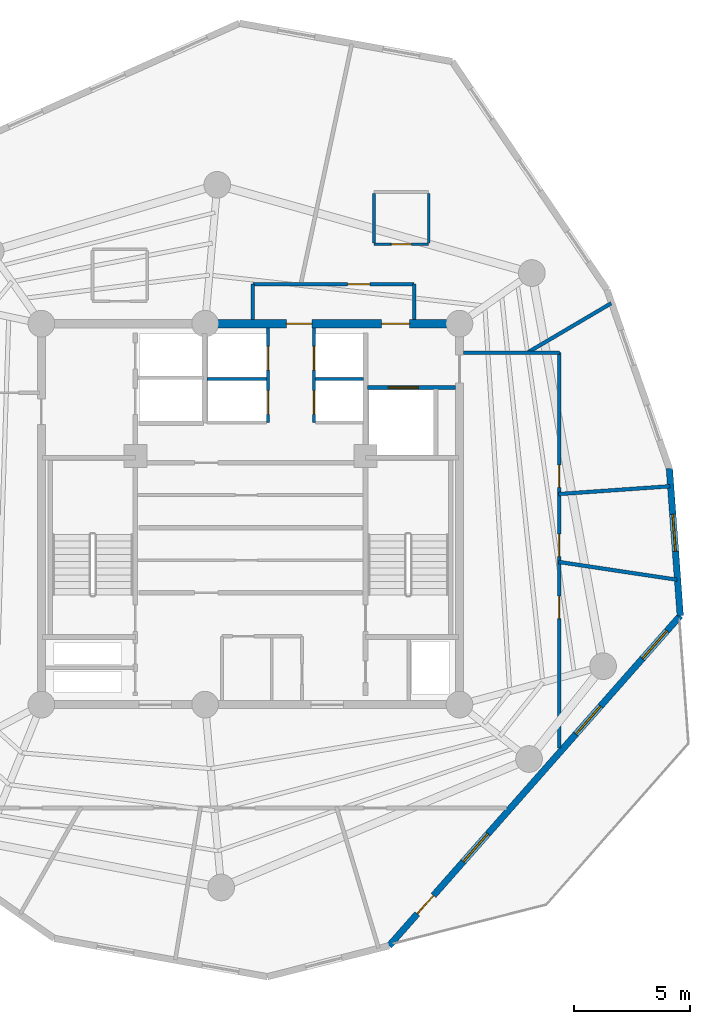
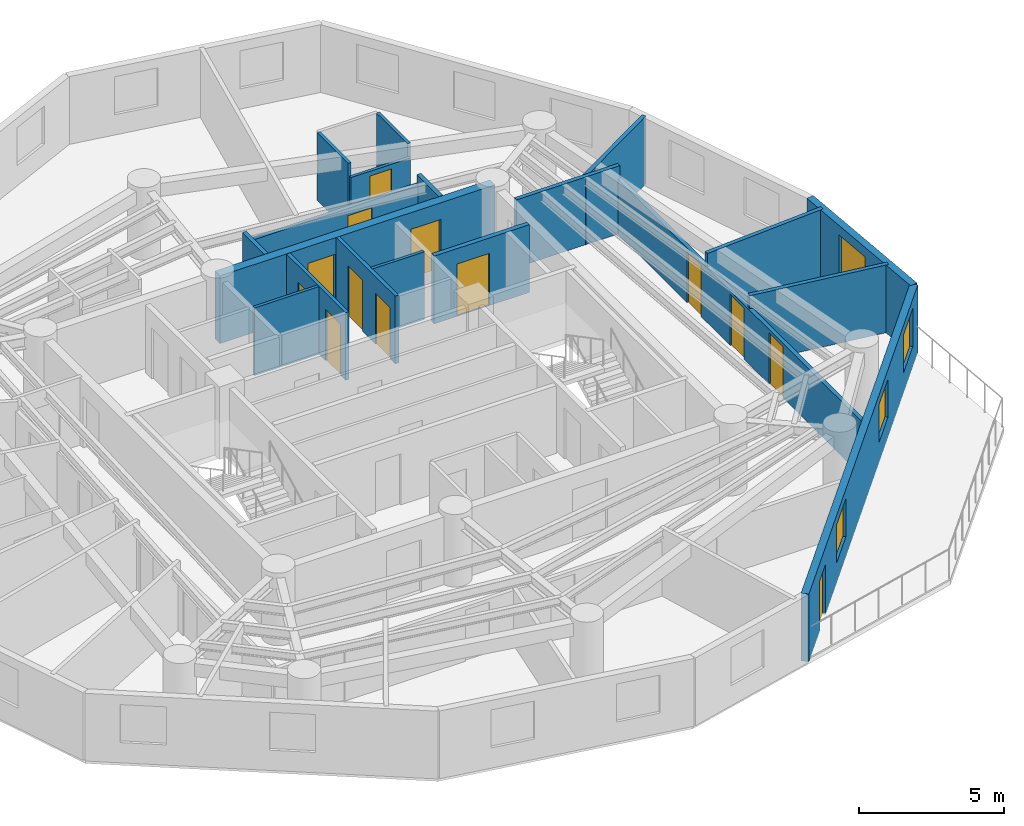
# One storey, part 5 of 7: 19 walls, 13 doors, 4 windows, 17 openings.
"""IFC4 building model written with IfcOpenShell, lengths in metres."""

from ifc_helpers import new_model, si_unit, direction, frame, frame_2d, origin, origin_with_axes, place, context, subcontext, project, spatial, rectangle, extrude, source, transform, mapped, material, layer, layer_set, type_object, element, fill, save


model = new_model("IFC4")

# Units and contexts
model_context = context("Model", 3, precision=1e-05, world=origin(), true_north=direction((0.0, 1.0)))
body_context = subcontext(model_context, "Body", "Model", "MODEL_VIEW")
ifc_project = project(units=[si_unit("LENGTHUNIT", "METRE"), si_unit("AREAUNIT", "SQUARE_METRE"), si_unit("VOLUMEUNIT", "CUBIC_METRE"), si_unit("PLANEANGLEUNIT", "RADIAN"), si_unit("MASSUNIT", "GRAM", prefix="KILO")], contexts=[model_context])

# Site, building, storey
site_placement = place(None, origin())
site = spatial("IfcSite", under=ifc_project, at=site_placement, CompositionType="ELEMENT")
building_placement = place(site_placement, origin())
building = spatial("IfcBuilding", under=site, at=building_placement, Name="Karkom Vertical University and Central Library", CompositionType="ELEMENT")
storey_placement = place(building_placement, frame((0.0, 0.0, 235.199951171875)))
storey = spatial("IfcBuildingStorey", under=building, at=storey_placement, Name="L69", CompositionType="ELEMENT", Elevation=235.199951171875)

# Wall, openings, door, windows
ifc_material_1 = material(Name="Brick-faced precast concrete C45/55", Category="masonry")
ifc_layer_1 = layer(ifc_material_1, 0.280029296875)
ifc_layer_set_1 = layer_set([ifc_layer_1], Name="Brick-faced precast concrete C45/55")
wall_type_1 = type_object("IfcWallType", Name="ENV-WL-BRK-280", PredefinedType="SOLIDWALL", material=ifc_layer_set_1)
wall_1_placement = place(storey_placement, frame((34.466796875, 7.915771484375, 0.0), z_axis=(0.0, 0.0, 1.0), x_axis=(0.661518096325, 0.749929202148, 0.0)))
wall_1 = element("IfcWall", 1, at=wall_1_placement, inside=storey, type_object=wall_type_1, Name="Level 69 Brick-Faced Precast Facade Wall 04", PredefinedType="SOLIDWALL", context=body_context, shape_type="SweptSolid", body=[
    extrude(rectangle(XDim=18.95166015625, YDim=0.280029296875, at=frame_2d((9.475830078125, 0.0))), origin(), (0.0, 0.0, 1.0), 2.85009765625),
])
opening_1_placement = place(wall_1_placement, frame((4.8310546875, 0.0, 0.85009765625)))
opening_1 = element("IfcOpeningElement", 2, at=opening_1_placement, cuts=wall_1, Name="Opening WN-10", PredefinedType="OPENING", context=body_context, shape_type="SweptSolid", body=[
    extrude(rectangle(XDim=1.60009765625, YDim=1.60009765625, at=frame_2d((0.800048828125, 0.800048828125))), frame((0.0, 0.14990234375, 0.0), z_axis=(0.0, -1.0, 0.0), x_axis=(1.0, 0.0, 0.0)), (0.0, 0.0, 1.0), 0.300048828125),
])
opening_2_placement = place(wall_1_placement, frame((12.161376953125, 0.0, 0.85009765625)))
opening_2 = element("IfcOpeningElement", 3, at=opening_2_placement, cuts=wall_1, Name="Opening WN-10", PredefinedType="OPENING", context=body_context, shape_type="SweptSolid", body=[
    extrude(rectangle(XDim=1.60009765625, YDim=1.60009765625, at=frame_2d((0.800048828125, 0.800048828125))), frame((0.0, 0.14990234375, 0.0), z_axis=(0.0, -1.0, 0.0), x_axis=(1.0, 0.0, 0.0)), (0.0, 0.0, 1.0), 0.300048828125),
])
opening_3_placement = place(wall_1_placement, frame((16.488525390625, 0.0, 0.85009765625)))
opening_3 = element("IfcOpeningElement", 4, at=opening_3_placement, cuts=wall_1, Name="Opening WN-10", PredefinedType="OPENING", context=body_context, shape_type="SweptSolid", body=[
    extrude(rectangle(XDim=1.60009765625, YDim=1.60009765625, at=frame_2d((0.800048828125, 0.800048828125))), frame((0.0, 0.14990234375, 0.0), z_axis=(0.0, -1.0, 0.0), x_axis=(1.0, 0.0, 0.0)), (0.0, 0.0, 1.0), 0.300048828125),
])
opening_4_placement = place(wall_1_placement, frame((1.843994140625, 0.0, 0.0)))
opening_4 = element("IfcOpeningElement", 5, at=opening_4_placement, cuts=wall_1, Name="Opening TD-1", PredefinedType="OPENING", context=body_context, shape_type="SweptSolid", body=[
    extrude(rectangle(XDim=1.050048828125, YDim=2.1201171875, at=frame_2d((0.52490234375, 1.06005859375))), frame((0.0, 0.14990234375, 0.0), z_axis=(0.0, -1.0, 0.0), x_axis=(1.0, 0.0, 0.0)), (0.0, 0.0, 1.0), 0.300048828125),
])
ifc_material_2 = material(Name="Thermally broken glazed aluminium terrace door", Category="aluminium")
door_type_1 = type_object("IfcDoorType", Name="ENV-DR-TERR", OperationType="NOTDEFINED", PredefinedType="DOOR", material=ifc_material_2)
shared_shape_1 = source(origin_with_axes(), body_context, "Body", "SweptSolid", [
    extrude(rectangle(XDim=1.050048828125, YDim=2.1201171875, at=frame_2d((0.52490234375, 1.06005859375))), frame((0.0, 0.02490234375, 0.0), z_axis=(0.0, -1.0, 0.0), x_axis=(1.0, 0.0, 0.0)), (0.0, 0.0, 1.0), 0.050048828125),
])
door_1_placement = place(opening_4_placement, origin())
door_1 = element("IfcDoor", 6, at=door_1_placement, inside=storey, type_object=door_type_1, Name="Level 69 Outdoor Terrace Access Door", OperationType="SINGLE_SWING_LEFT", OverallHeight=2.1201171875, OverallWidth=1.050048828125, PredefinedType="DOOR", context=body_context, shape_type="MappedRepresentation", body=[
    mapped(shared_shape_1, transform((0.0, 0.0, 0.0), scale=1.0)),
])
fill(opening_4, door_1)
ifc_material_3 = material(Name="Aluminium thermal-break frame with solar-control IGU", Category="aluminium")
window_type = type_object("IfcWindowType", Name="ENV-WIN-WN-10", PartitioningType="SINGLE_PANEL", PredefinedType="WINDOW", material=ifc_material_3)
shared_shape_2 = source(origin_with_axes(), body_context, "Body", "SweptSolid", [
    extrude(rectangle(XDim=1.60009765625, YDim=1.60009765625, at=frame_2d((0.800048828125, 0.800048828125))), frame((0.0, 0.030029296875, 0.0), z_axis=(0.0, -1.0, 0.0), x_axis=(1.0, 0.0, 0.0)), (0.0, 0.0, 1.0), 0.06005859375),
])
window_1_placement = place(opening_1_placement, origin())
window_1 = element("IfcWindow", 7, at=window_1_placement, inside=storey, type_object=window_type, Name="Level 69 Punched Window 4.2", OverallHeight=1.60009765625, OverallWidth=1.60009765625, PartitioningType="SINGLE_PANEL", PredefinedType="WINDOW", context=body_context, shape_type="MappedRepresentation", body=[
    mapped(shared_shape_2, transform((0.0, 0.0, 0.0), scale=1.0)),
])
fill(opening_1, window_1)
window_2_placement = place(opening_2_placement, origin())
window_2 = element("IfcWindow", 8, at=window_2_placement, inside=storey, type_object=window_type, Name="Level 69 Punched Window 4.3", OverallHeight=1.60009765625, OverallWidth=1.60009765625, PartitioningType="SINGLE_PANEL", PredefinedType="WINDOW", context=body_context, shape_type="MappedRepresentation", body=[
    mapped(shared_shape_2, transform((0.0, 0.0, 0.0), scale=1.0)),
])
fill(opening_2, window_2)
window_3_placement = place(opening_3_placement, origin())
window_3 = element("IfcWindow", 9, at=window_3_placement, inside=storey, type_object=window_type, Name="Level 69 Punched Window 4.4", OverallHeight=1.60009765625, OverallWidth=1.60009765625, PartitioningType="SINGLE_PANEL", PredefinedType="WINDOW", context=body_context, shape_type="MappedRepresentation", body=[
    mapped(shared_shape_2, transform((0.0, 0.0, 0.0), scale=1.0)),
])
fill(opening_3, window_3)

# Wall, opening, window
wall_2_placement = place(storey_placement, frame((47.003662109375, 22.128173828125, 0.0), z_axis=(0.0, 0.0, 1.0), x_axis=(-0.073775439927, 0.99727487909, 0.0)))
wall_2 = element("IfcWall", 10, at=wall_2_placement, inside=storey, type_object=wall_type_1, Name="Level 69 Brick-Faced Precast Facade Wall 05", PredefinedType="SOLIDWALL", context=body_context, shape_type="SweptSolid", body=[
    extrude(rectangle(XDim=6.353759765625, YDim=0.280029296875, at=frame_2d((3.1767578125, 0.0))), origin(), (0.0, 0.0, 1.0), 2.85009765625),
])
opening_5_placement = place(wall_2_placement, frame((2.77685546875, 0.0, 0.85009765625)))
opening_5 = element("IfcOpeningElement", 11, at=opening_5_placement, cuts=wall_2, Name="Opening WN-10", PredefinedType="OPENING", context=body_context, shape_type="SweptSolid", body=[
    extrude(rectangle(XDim=1.60009765625, YDim=1.60009765625, at=frame_2d((0.800048828125, 0.800048828125))), frame((0.0, 0.14990234375, 0.0), z_axis=(0.0, -1.0, 0.0), x_axis=(1.0, 0.0, 0.0)), (0.0, 0.0, 1.0), 0.300048828125),
])
window_4_placement = place(opening_5_placement, origin())
window_4 = element("IfcWindow", 12, at=window_4_placement, inside=storey, type_object=window_type, Name="Level 69 Punched Window 5.1", OverallHeight=1.60009765625, OverallWidth=1.60009765625, PartitioningType="SINGLE_PANEL", PredefinedType="WINDOW", context=body_context, shape_type="MappedRepresentation", body=[
    mapped(shared_shape_2, transform((0.0, 0.0, 0.0), scale=1.0)),
])
fill(opening_5, window_4)

# Wall, openings, doors
ifc_material_4 = material(Name="Insulated metal-stud drywall 160mm", Category="gypsum")
ifc_layer_2 = layer(ifc_material_4, 0.159912109375)
ifc_layer_set_2 = layer_set([ifc_layer_2], Name="Insulated metal-stud drywall 160mm")
wall_type_2 = type_object("IfcWallType", Name="INT-WL-COR-160", PredefinedType="PARTITIONING", material=ifc_layer_set_2)
wall_3_placement = place(storey_placement, frame((41.800048828125, 33.449951171875, 0.0), z_axis=(0.0, 0.0, 1.0), x_axis=(0.0, -1.0, 0.0)))
wall_3 = element("IfcWall", 13, at=wall_3_placement, inside=storey, type_object=wall_type_2, Name="Level 69 Interior Partition Wall L69-CORW-CW-005", PredefinedType="PARTITIONING", context=body_context, shape_type="SweptSolid", body=[
    extrude(rectangle(XDim=17.024169921875, YDim=0.159912109375, at=frame_2d((8.51220703125, 0.0))), origin(), (0.0, 0.0, 1.0), 2.300048828125),
])
opening_6_placement = place(wall_3_placement, frame((10.48291015625, 0.0, 0.0)))
opening_6 = element("IfcOpeningElement", 14, at=opening_6_placement, cuts=wall_3, Name="Opening FD-RM2", PredefinedType="OPENING", context=body_context, shape_type="SweptSolid", body=[
    extrude(rectangle(XDim=0.9599609375, YDim=2.14990234375, at=frame_2d((0.47998046875, 1.074951171875))), frame((0.0, 0.08984375, 0.0), z_axis=(0.0, -1.0, 0.0), x_axis=(1.0, 0.0, 0.0)), (0.0, 0.0, 1.0), 0.179931640625),
])
opening_7_placement = place(wall_3_placement, frame((7.814208984375, 0.0, 0.0)))
opening_7 = element("IfcOpeningElement", 15, at=opening_7_placement, cuts=wall_3, Name="Opening FD-RM2", PredefinedType="OPENING", context=body_context, shape_type="SweptSolid", body=[
    extrude(rectangle(XDim=0.9599609375, YDim=2.14990234375, at=frame_2d((0.47998046875, 1.074951171875))), frame((0.0, 0.08984375, 0.0), z_axis=(0.0, -1.0, 0.0), x_axis=(1.0, 0.0, 0.0)), (0.0, 0.0, 1.0), 0.179931640625),
])
opening_8_placement = place(wall_3_placement, frame((4.83544921875, 0.0, 0.0)))
opening_8 = element("IfcOpeningElement", 16, at=opening_8_placement, cuts=wall_3, Name="Opening FD-RM2", PredefinedType="OPENING", context=body_context, shape_type="SweptSolid", body=[
    extrude(rectangle(XDim=0.9599609375, YDim=2.14990234375, at=frame_2d((0.47998046875, 1.074951171875))), frame((0.0, 0.08984375, 0.0), z_axis=(0.0, -1.0, 0.0), x_axis=(1.0, 0.0, 0.0)), (0.0, 0.0, 1.0), 0.179931640625),
])
ifc_material_5 = material(Name="Fire-rated oak veneer door", Category="wood")
door_type_2 = type_object("IfcDoorType", Name="INT-DR-FRM2", OperationType="NOTDEFINED", PredefinedType="DOOR", material=ifc_material_5)
shared_shape_3 = source(origin_with_axes(), body_context, "Body", "SweptSolid", [
    extrude(rectangle(XDim=0.9599609375, YDim=2.14990234375, at=frame_2d((0.47998046875, 1.074951171875))), frame((0.0, 0.02490234375, 0.0), z_axis=(0.0, -1.0, 0.0), x_axis=(1.0, 0.0, 0.0)), (0.0, 0.0, 1.0), 0.050048828125),
])
door_2_placement = place(opening_6_placement, origin())
door_2 = element("IfcDoor", 17, at=door_2_placement, inside=storey, type_object=door_type_2, Name="Level 69 Room Entry Door 307", OperationType="SINGLE_SWING_LEFT", OverallHeight=2.14990234375, OverallWidth=0.9599609375, PredefinedType="DOOR", context=body_context, shape_type="MappedRepresentation", body=[
    mapped(shared_shape_3, transform((0.0, 0.0, 0.0), scale=1.0)),
])
fill(opening_6, door_2)
door_3_placement = place(opening_7_placement, origin())
door_3 = element("IfcDoor", 18, at=door_3_placement, inside=storey, type_object=door_type_2, Name="Level 69 Room Entry Door 308", OperationType="SINGLE_SWING_RIGHT", OverallHeight=2.14990234375, OverallWidth=0.9599609375, PredefinedType="DOOR", context=body_context, shape_type="MappedRepresentation", body=[
    mapped(shared_shape_3, transform((0.0, 0.0, 0.0), scale=1.0)),
])
fill(opening_7, door_3)
door_4_placement = place(opening_8_placement, origin())
door_4 = element("IfcDoor", 19, at=door_4_placement, inside=storey, type_object=door_type_2, Name="Level 69 Room Entry Door 309", OperationType="SINGLE_SWING_LEFT", OverallHeight=2.14990234375, OverallWidth=0.9599609375, PredefinedType="DOOR", context=body_context, shape_type="MappedRepresentation", body=[
    mapped(shared_shape_3, transform((0.0, 0.0, 0.0), scale=1.0)),
])
fill(opening_8, door_4)

# Wall, opening, door
wall_4_placement = place(storey_placement, frame((28.60009765625, 36.39990234375, 0.0), z_axis=(0.0, 0.0, 1.0), x_axis=(1.0, 0.0, 0.0)))
wall_4 = element("IfcWall", 20, at=wall_4_placement, inside=storey, type_object=wall_type_2, Name="Level 69 Interior Partition Wall L69-CORW-CW-007", PredefinedType="PARTITIONING", context=body_context, shape_type="SweptSolid", body=[
    extrude(rectangle(XDim=6.949951171875, YDim=0.159912109375, at=frame_2d((3.47509765625, 0.0))), origin(), (0.0, 0.0, 1.0), 2.449951171875),
])
opening_9_placement = place(wall_4_placement, frame((4.081298828125, 0.0, 0.0)))
opening_9 = element("IfcOpeningElement", 21, at=opening_9_placement, cuts=wall_4, Name="Opening FD-RM2", PredefinedType="OPENING", context=body_context, shape_type="SweptSolid", body=[
    extrude(rectangle(XDim=0.9599609375, YDim=2.14990234375, at=frame_2d((0.47998046875, 1.074951171875))), frame((0.0, 0.08984375, 0.0), z_axis=(0.0, -1.0, 0.0), x_axis=(1.0, 0.0, 0.0)), (0.0, 0.0, 1.0), 0.179931640625),
])
door_5_placement = place(opening_9_placement, origin())
door_5 = element("IfcDoor", 22, at=door_5_placement, inside=storey, type_object=door_type_2, Name="Level 69 Room Entry Door 420", OperationType="SINGLE_SWING_LEFT", OverallHeight=2.14990234375, OverallWidth=0.9599609375, PredefinedType="DOOR", context=body_context, shape_type="MappedRepresentation", body=[
    mapped(shared_shape_3, transform((0.0, 0.0, 0.0), scale=1.0)),
])
fill(opening_9, door_5)

# Walls
wall_5_placement = place(storey_placement, frame((41.770263671875, 24.443603515625, 0.0), z_axis=(0.0, 0.0, 1.0), x_axis=(0.988877502594, -0.148732258984, 0.0)))
element("IfcWall", 23, at=wall_5_placement, inside=storey, type_object=wall_type_2, Name="Level 69 Interior Partition Wall L69-PW-008", PredefinedType="PARTITIONING", context=body_context, shape_type="SweptSolid", body=[
    extrude(rectangle(XDim=5.1494140625, YDim=0.159912109375, at=frame_2d((2.57470703125, 0.0))), origin(), (0.0, 0.0, 1.0), 2.85009765625),
])
wall_6_placement = place(storey_placement, frame((41.77001953125, 27.366455078125, 0.0), z_axis=(0.0, 0.0, 1.0), x_axis=(0.997573870871, 0.069615890103, 0.0)))
element("IfcWall", 24, at=wall_6_placement, inside=storey, type_object=wall_type_2, Name="Level 69 Interior Partition Wall L69-PW-009", PredefinedType="PARTITIONING", context=body_context, shape_type="SweptSolid", body=[
    extrude(rectangle(XDim=4.80810546875, YDim=0.159912109375, at=frame_2d((2.404052734375, 0.0))), origin(), (0.0, 0.0, 1.0), 2.85009765625),
])
wall_7_placement = place(storey_placement, frame((40.39111328125, 33.434814453125, 0.0), z_axis=(0.0, 0.0, 1.0), x_axis=(0.861632369313, 0.507532915338, 0.0)))
element("IfcWall", 25, at=wall_7_placement, inside=storey, type_object=wall_type_2, Name="Level 69 Interior Partition Wall L69-PW-010", PredefinedType="PARTITIONING", context=body_context, shape_type="SweptSolid", body=[
    extrude(rectangle(XDim=4.222900390625, YDim=0.159912109375, at=frame_2d((2.111328125, 0.0))), origin(), (0.0, 0.0, 1.0), 2.85009765625),
])
wall_8_placement = place(storey_placement, frame((37.681884765625, 33.449951171875, 0.0), z_axis=(0.0, 0.0, 1.0), x_axis=(1.0, 0.0, 0.0)))
element("IfcWall", 26, at=wall_8_placement, inside=storey, type_object=wall_type_2, Name="Level 69 Interior Partition Wall L69-CORW-CW-004", PredefinedType="PARTITIONING", context=body_context, shape_type="SweptSolid", body=[
    extrude(rectangle(XDim=4.1181640625, YDim=0.159912109375, at=frame_2d((2.05908203125, 0.0))), origin(), (0.0, 0.0, 1.0), 2.85009765625),
])
for number, where, z_axis, x_axis, name in (
    (27, (28.60009765625, 34.882080078125, 0.0), (0.0, 0.0, 1.0), (0.0, 1.0, 0.0), "Level 69 Interior Partition Wall L69-CORW-CW-006"),
    (28, (35.550048828125, 36.39990234375, 0.0), (0.0, 0.0, 1.0), (0.0, -1.0, 0.0), "Level 69 Interior Partition Wall L69-CORW-CW-008"),
):
    element("IfcWall", number, at=place(storey_placement, frame(where, z_axis=z_axis, x_axis=x_axis)), inside=storey, type_object=wall_type_2, Name=name, PredefinedType="PARTITIONING", context=body_context, shape_type="SweptSolid", body=[
        extrude(rectangle(XDim=1.517822265625, YDim=0.159912109375, at=frame_2d((0.7587890625, 0.0))), origin(), (0.0, 0.0, 1.0), 2.85009765625),
    ])

# Wall, opening, door
ifc_material_6 = material(Name="Moisture-resistant drywall 120mm", Category="gypsum")
ifc_layer_3 = layer(ifc_material_6, 0.1201171875)
ifc_layer_set_3 = layer_set([ifc_layer_3], Name="Moisture-resistant drywall 120mm")
wall_type_3 = type_object("IfcWallType", Name="INT-WL-INT-120F", PredefinedType="PARTITIONING", material=ifc_layer_set_3)
wall_9_placement = place(storey_placement, frame((33.81396484375, 38.123046875, 0.0), z_axis=(0.0, 0.0, 1.0), x_axis=(1.0, 0.0, 0.0)))
wall_9 = element("IfcWall", 29, at=wall_9_placement, inside=storey, type_object=wall_type_3, Name="Level 69 Interior Partition Wall L69-ENS-50-S", PredefinedType="PARTITIONING", context=body_context, shape_type="SweptSolid", body=[
    extrude(rectangle(XDim=2.360107421875, YDim=0.1201171875, at=frame_2d((1.18017578125, 0.0))), origin(), (0.0, 0.0, 1.0), 2.300048828125),
])
opening_10_placement = place(wall_9_placement, frame((0.75, 0.0, 0.0)))
opening_10 = element("IfcOpeningElement", 30, at=opening_10_placement, cuts=wall_9, Name="Opening D-BATH", PredefinedType="OPENING", context=body_context, shape_type="SweptSolid", body=[
    extrude(rectangle(XDim=0.860107421875, YDim=2.10009765625, at=frame_2d((0.43017578125, 1.050048828125))), frame((0.0, 0.070068359375, 0.0), z_axis=(0.0, -1.0, 0.0), x_axis=(1.0, 0.0, 0.0)), (0.0, 0.0, 1.0), 0.14013671875),
])
ifc_material_7 = material(Name="Moisture-resistant oak door", Category="wood")
door_type_3 = type_object("IfcDoorType", Name="INT-DR-BATH", OperationType="NOTDEFINED", PredefinedType="DOOR", material=ifc_material_7)
shared_shape_4 = source(origin_with_axes(), body_context, "Body", "SweptSolid", [
    extrude(rectangle(XDim=0.860107421875, YDim=2.10009765625, at=frame_2d((0.43017578125, 1.050048828125))), frame((0.0, 0.02490234375, 0.0), z_axis=(0.0, -1.0, 0.0), x_axis=(1.0, 0.0, 0.0)), (0.0, 0.0, 1.0), 0.050048828125),
])
door_6_placement = place(opening_10_placement, origin())
door_6 = element("IfcDoor", 31, at=door_6_placement, inside=storey, type_object=door_type_3, Name="Level 69 En-Suite Bathroom Door 50", OperationType="SINGLE_SWING_RIGHT", OverallHeight=2.10009765625, OverallWidth=0.860107421875, PredefinedType="DOOR", context=body_context, shape_type="MappedRepresentation", body=[
    mapped(shared_shape_4, transform((0.0, 0.0, 0.0), scale=1.0)),
])
fill(opening_10, door_6)

# Walls
for number, where, z_axis, x_axis, name in (
    (32, (36.174072265625, 38.173095703125, 0.0), (0.0, 0.0, 1.0), (0.0, 1.0, 0.0), "Level 69 Interior Partition Wall L69-ENS-50-E"),
    (33, (33.81396484375, 40.31298828125, 0.0), (0.0, 0.0, 1.0), (0.0, -1.0, 0.0), "Level 69 Interior Partition Wall L69-ENS-50-W"),
):
    element("IfcWall", number, at=place(storey_placement, frame(where, z_axis=z_axis, x_axis=x_axis)), inside=storey, type_object=wall_type_3, Name=name, PredefinedType="PARTITIONING", context=body_context, shape_type="SweptSolid", body=[
        extrude(rectangle(XDim=2.139892578125, YDim=0.1201171875, at=frame_2d((1.06982421875, 0.0))), origin(), (0.0, 0.0, 1.0), 2.85009765625),
    ])
ifc_layer_4 = layer(ifc_material_6, 0.1201171875)
ifc_layer_set_4 = layer_set([ifc_layer_4], Name="Moisture-resistant drywall 120mm")
wall_type_4 = type_object("IfcWallType", Name="INT-WL-INT-120H", PredefinedType="PARTITIONING", material=ifc_layer_set_4)
wall_10_placement = place(storey_placement, frame((26.6201171875, 32.320068359375, 0.0), z_axis=(0.0, 0.0, 1.0), x_axis=(1.0, 0.0, 0.0)))
element("IfcWall", 34, at=wall_10_placement, inside=storey, type_object=wall_type_4, Name="Level 69 Interior Partition Wall L69-CW-PH-MW", PredefinedType="PARTITIONING", context=body_context, shape_type="SweptSolid", body=[
    extrude(rectangle(XDim=2.579833984375, YDim=0.1201171875, at=frame_2d((1.2900390625, 0.0))), origin(), (0.0, 0.0, 1.0), 2.85009765625),
])
wall_11_placement = place(storey_placement, frame((31.300048828125, 32.320068359375, 0.0), z_axis=(0.0, 0.0, 1.0), x_axis=(1.0, 0.0, 0.0)))
element("IfcWall", 35, at=wall_11_placement, inside=storey, type_object=wall_type_4, Name="Level 69 Interior Partition Wall L69-CW-PH-ME", PredefinedType="PARTITIONING", context=body_context, shape_type="SweptSolid", body=[
    extrude(rectangle(XDim=2.074951171875, YDim=0.1201171875, at=frame_2d((1.03759765625, 0.0))), origin(), (0.0, 0.0, 1.0), 2.85009765625),
])

# Wall, openings, doors
ifc_material_8 = material(Name="Metal-stud gypsum partition 140mm", Category="gypsum")
ifc_layer_5 = layer(ifc_material_8, 0.139892578125)
ifc_layer_set_5 = layer_set([ifc_layer_5], Name="Metal-stud gypsum partition 140mm")
wall_type_5 = type_object("IfcWallType", Name="INT-WL-SUB-140H", PredefinedType="PARTITIONING", material=ifc_layer_set_5)
wall_12_placement = place(storey_placement, frame((29.260009765625, 30.449951171875, 0.0), z_axis=(0.0, 0.0, 1.0), x_axis=(0.0, 1.0, 0.0)))
wall_12 = element("IfcWall", 36, at=wall_12_placement, inside=storey, type_object=wall_type_5, Name="Level 69 Interior Partition Wall L69-CW-PH-W", PredefinedType="PARTITIONING", context=body_context, shape_type="SweptSolid", body=[
    extrude(rectangle(XDim=4.068115234375, YDim=0.139892578125, at=frame_2d((2.0341796875, 0.0))), origin(), (0.0, 0.0, 1.0), 2.85009765625),
])
opening_11_placement = place(wall_12_placement, frame((0.35009765625, 0.0, 0.0)))
opening_11 = element("IfcOpeningElement", 37, at=opening_11_placement, cuts=wall_12, Name="Opening LD-PH", PredefinedType="OPENING", context=body_context, shape_type="SweptSolid", body=[
    extrude(rectangle(XDim=1.02001953125, YDim=2.14990234375, at=frame_2d((0.510009765625, 1.074951171875))), frame((0.0, 0.080078125, 0.0), z_axis=(0.0, -1.0, 0.0), x_axis=(1.0, 0.0, 0.0)), (0.0, 0.0, 1.0), 0.159912109375),
])
opening_12_placement = place(wall_12_placement, frame((2.25, 0.0, 0.0)))
opening_12 = element("IfcOpeningElement", 38, at=opening_12_placement, cuts=wall_12, Name="Opening LD-PH", PredefinedType="OPENING", context=body_context, shape_type="SweptSolid", body=[
    extrude(rectangle(XDim=1.02001953125, YDim=2.14990234375, at=frame_2d((0.510009765625, 1.074951171875))), frame((0.0, 0.080078125, 0.0), z_axis=(0.0, -1.0, 0.0), x_axis=(1.0, 0.0, 0.0)), (0.0, 0.0, 1.0), 0.159912109375),
])
ifc_material_9 = material(Name="Brushed stainless-steel landing door", Category="steel")
door_type_4 = type_object("IfcDoorType", Name="INT-DR-LD-PH", OperationType="SLIDING_TO_LEFT", PredefinedType="DOOR", material=ifc_material_9)
shared_shape_5 = source(origin_with_axes(), body_context, "Body", "SweptSolid", [
    extrude(rectangle(XDim=1.02001953125, YDim=2.14990234375, at=frame_2d((0.510009765625, 1.074951171875))), frame((0.0, 0.02490234375, 0.0), z_axis=(0.0, -1.0, 0.0), x_axis=(1.0, 0.0, 0.0)), (0.0, 0.0, 1.0), 0.050048828125),
])
door_7_placement = place(opening_11_placement, origin())
door_7 = element("IfcDoor", 39, at=door_7_placement, inside=storey, type_object=door_type_4, Name="Level 69 Lift PH-1 Landing Door", OperationType="SLIDING_TO_LEFT", OverallHeight=2.14990234375, OverallWidth=1.02001953125, PredefinedType="DOOR", context=body_context, shape_type="MappedRepresentation", body=[
    mapped(shared_shape_5, transform((0.0, 0.0, 0.0), scale=1.0)),
])
fill(opening_11, door_7)
door_8_placement = place(opening_12_placement, origin())
door_8 = element("IfcDoor", 40, at=door_8_placement, inside=storey, type_object=door_type_4, Name="Level 69 Lift PH-2 Landing Door", OperationType="SLIDING_TO_LEFT", OverallHeight=2.14990234375, OverallWidth=1.02001953125, PredefinedType="DOOR", context=body_context, shape_type="MappedRepresentation", body=[
    mapped(shared_shape_5, transform((0.0, 0.0, 0.0), scale=1.0)),
])
fill(opening_12, door_8)

wall_13_placement = place(storey_placement, frame((31.239990234375, 30.449951171875, 0.0), z_axis=(0.0, 0.0, 1.0), x_axis=(0.0, 1.0, 0.0)))
wall_13 = element("IfcWall", 41, at=wall_13_placement, inside=storey, type_object=wall_type_5, Name="Level 69 Interior Partition Wall L69-CW-PH-E", PredefinedType="PARTITIONING", context=body_context, shape_type="SweptSolid", body=[
    extrude(rectangle(XDim=4.068115234375, YDim=0.139892578125, at=frame_2d((2.0341796875, 0.0))), origin(), (0.0, 0.0, 1.0), 2.85009765625),
])
opening_13_placement = place(wall_13_placement, frame((0.35009765625, 0.0, 0.0)))
opening_13 = element("IfcOpeningElement", 42, at=opening_13_placement, cuts=wall_13, Name="Opening LD-PH", PredefinedType="OPENING", context=body_context, shape_type="SweptSolid", body=[
    extrude(rectangle(XDim=1.02001953125, YDim=2.14990234375, at=frame_2d((0.510009765625, 1.074951171875))), frame((0.0, 0.080078125, 0.0), z_axis=(0.0, -1.0, 0.0), x_axis=(1.0, 0.0, 0.0)), (0.0, 0.0, 1.0), 0.159912109375),
])
opening_14_placement = place(wall_13_placement, frame((2.25, 0.0, 0.0)))
opening_14 = element("IfcOpeningElement", 43, at=opening_14_placement, cuts=wall_13, Name="Opening LD-PH", PredefinedType="OPENING", context=body_context, shape_type="SweptSolid", body=[
    extrude(rectangle(XDim=1.02001953125, YDim=2.14990234375, at=frame_2d((0.510009765625, 1.074951171875))), frame((0.0, 0.080078125, 0.0), z_axis=(0.0, -1.0, 0.0), x_axis=(1.0, 0.0, 0.0)), (0.0, 0.0, 1.0), 0.159912109375),
])
door_9_placement = place(opening_13_placement, origin())
door_9 = element("IfcDoor", 44, at=door_9_placement, inside=storey, type_object=door_type_4, Name="Level 69 Lift PH-3 Landing Door", OperationType="SLIDING_TO_LEFT", OverallHeight=2.14990234375, OverallWidth=1.02001953125, PredefinedType="DOOR", context=body_context, shape_type="MappedRepresentation", body=[
    mapped(shared_shape_5, transform((0.0, 0.0, 0.0), scale=1.0)),
])
fill(opening_13, door_9)
door_10_placement = place(opening_14_placement, origin())
door_10 = element("IfcDoor", 45, at=door_10_placement, inside=storey, type_object=door_type_4, Name="Level 69 Lift PH-4 Landing Door", OperationType="SLIDING_TO_LEFT", OverallHeight=2.14990234375, OverallWidth=1.02001953125, PredefinedType="DOOR", context=body_context, shape_type="MappedRepresentation", body=[
    mapped(shared_shape_5, transform((0.0, 0.0, 0.0), scale=1.0)),
])
fill(opening_14, door_10)

# Wall, opening, door
ifc_material_10 = material(Name="Twin-stud acoustic drywall 180mm", Category="gypsum")
ifc_layer_6 = layer(ifc_material_10, 0.179931640625)
ifc_layer_set_6 = layer_set([ifc_layer_6], Name="Twin-stud acoustic drywall 180mm")
wall_type_6 = type_object("IfcWallType", Name="INT-WL-TEN-180F", PredefinedType="PARTITIONING", material=ifc_layer_set_6)
wall_14_placement = place(storey_placement, frame((33.534912109375, 31.949951171875, 0.0), z_axis=(0.0, 0.0, 1.0), x_axis=(1.0, 0.0, 0.0)))
wall_14 = element("IfcWall", 46, at=wall_14_placement, inside=storey, type_object=wall_type_6, Name="Level 69 Interior Partition Wall L69-CW-SVL-N", PredefinedType="PARTITIONING", context=body_context, shape_type="SweptSolid", body=[
    extrude(rectangle(XDim=3.783935546875, YDim=0.179931640625, at=frame_2d((1.89208984375, 0.0))), origin(), (0.0, 0.0, 1.0), 2.85009765625),
])
opening_15_placement = place(wall_14_placement, frame((0.89990234375, 0.0, 0.0)))
opening_15 = element("IfcOpeningElement", 47, at=opening_15_placement, cuts=wall_14, Name="Opening LD-SV1", PredefinedType="OPENING", context=body_context, shape_type="SweptSolid", body=[
    extrude(rectangle(XDim=1.300048828125, YDim=2.199951171875, at=frame_2d((0.64990234375, 1.10009765625))), frame((0.0, 0.10009765625, 0.0), z_axis=(0.0, -1.0, 0.0), x_axis=(1.0, 0.0, 0.0)), (0.0, 0.0, 1.0), 0.199951171875),
])
door_type_5 = type_object("IfcDoorType", Name="INT-DR-LD-SV1", OperationType="SLIDING_TO_LEFT", PredefinedType="DOOR", material=ifc_material_9)
shared_shape_6 = source(origin_with_axes(), body_context, "Body", "SweptSolid", [
    extrude(rectangle(XDim=1.300048828125, YDim=2.199951171875, at=frame_2d((0.64990234375, 1.10009765625))), frame((0.0, 0.02490234375, 0.0), z_axis=(0.0, -1.0, 0.0), x_axis=(1.0, 0.0, 0.0)), (0.0, 0.0, 1.0), 0.050048828125),
])
door_11_placement = place(opening_15_placement, origin())
door_11 = element("IfcDoor", 48, at=door_11_placement, inside=storey, type_object=door_type_5, Name="Level 69 Service Lift Landing Door LD-SV1", OperationType="SLIDING_TO_LEFT", OverallHeight=2.199951171875, OverallWidth=1.300048828125, PredefinedType="DOOR", context=body_context, shape_type="MappedRepresentation", body=[
    mapped(shared_shape_6, transform((0.0, 0.0, 0.0), scale=1.0)),
])
fill(opening_15, door_11)

# Wall, openings, doors
ifc_material_11 = material(Name="Concrete C45/55", Category="concrete")
ifc_layer_7 = layer(ifc_material_11, 0.35009765625)
ifc_layer_set_7 = layer_set([ifc_layer_7], Name="Concrete C45/55")
wall_type_7 = type_object("IfcWallType", Name="STR-WL-CW-350", PredefinedType="SHEAR", material=ifc_layer_set_7)
wall_15_placement = place(storey_placement, frame((37.5, 34.699951171875, 0.0), z_axis=(0.0, 0.0, 1.0), x_axis=(-1.0, 0.0, 0.0)))
wall_15 = element("IfcWall", 49, at=wall_15_placement, inside=storey, type_object=wall_type_7, Name="Level 69 Central Core Shear Wall NW1", PredefinedType="SHEAR", context=body_context, shape_type="SweptSolid", body=[
    extrude(rectangle(XDim=10.949951171875, YDim=0.35009765625, at=frame_2d((5.47509765625, 0.0))), origin(), (0.0, 0.0, 1.0), 2.85009765625),
])
opening_16_placement = place(wall_15_placement, frame((2.14990234375, 0.0, 0.0)))
opening_16 = element("IfcOpeningElement", 50, at=opening_16_placement, cuts=wall_15, Name="Opening FD-SUB1", PredefinedType="OPENING", context=body_context, shape_type="SweptSolid", body=[
    extrude(rectangle(XDim=1.199951171875, YDim=2.14990234375, at=frame_2d((0.60009765625, 1.074951171875))), frame((0.0, 0.18505859375, 0.0), z_axis=(0.0, -1.0, 0.0), x_axis=(1.0, 0.0, 0.0)), (0.0, 0.0, 1.0), 0.3701171875),
])
opening_17_placement = place(wall_15_placement, frame((6.35009765625, 0.0, 0.0)))
opening_17 = element("IfcOpeningElement", 51, at=opening_17_placement, cuts=wall_15, Name="Opening FD-FFL", PredefinedType="OPENING", context=body_context, shape_type="SweptSolid", body=[
    extrude(rectangle(XDim=1.10009765625, YDim=2.14990234375, at=frame_2d((0.550048828125, 1.074951171875))), frame((0.0, 0.18505859375, 0.0), z_axis=(0.0, -1.0, 0.0), x_axis=(1.0, 0.0, 0.0)), (0.0, 0.0, 1.0), 0.3701171875),
])
ifc_material_12 = material(Name="Painted steel smoke-seal fire door", Category="steel")
door_type_6 = type_object("IfcDoorType", Name="INT-DR-FFL", OperationType="NOTDEFINED", PredefinedType="DOOR", material=ifc_material_12)
shared_shape_7 = source(origin_with_axes(), body_context, "Body", "SweptSolid", [
    extrude(rectangle(XDim=1.10009765625, YDim=2.14990234375, at=frame_2d((0.550048828125, 1.074951171875))), frame((0.0, 0.02490234375, 0.0), z_axis=(0.0, -1.0, 0.0), x_axis=(1.0, 0.0, 0.0)), (0.0, 0.0, 1.0), 0.050048828125),
])
door_12_placement = place(opening_17_placement, origin())
door_12 = element("IfcDoor", 52, at=door_12_placement, inside=storey, type_object=door_type_6, Name="Level 69 North Core Lobby Exit Door", OperationType="SINGLE_SWING_LEFT", OverallHeight=2.14990234375, OverallWidth=1.10009765625, PredefinedType="DOOR", context=body_context, shape_type="MappedRepresentation", body=[
    mapped(shared_shape_7, transform((0.0, 0.0, 0.0), scale=1.0)),
])
fill(opening_17, door_12)
ifc_material_13 = material(Name="Painted steel fire door", Category="steel")
door_type_7 = type_object("IfcDoorType", Name="INT-DR-SUB1", OperationType="NOTDEFINED", PredefinedType="DOOR", material=ifc_material_13)
shared_shape_8 = source(origin_with_axes(), body_context, "Body", "SweptSolid", [
    extrude(rectangle(XDim=1.199951171875, YDim=2.14990234375, at=frame_2d((0.60009765625, 1.074951171875))), frame((0.0, 0.02490234375, 0.0), z_axis=(0.0, -1.0, 0.0), x_axis=(1.0, 0.0, 0.0)), (0.0, 0.0, 1.0), 0.050048828125),
])
door_13_placement = place(opening_16_placement, origin())
door_13 = element("IfcDoor", 53, at=door_13_placement, inside=storey, type_object=door_type_7, Name="Level 69 Service Lobby Fire Door", OperationType="SINGLE_SWING_LEFT", OverallHeight=2.14990234375, OverallWidth=1.199951171875, PredefinedType="DOOR", context=body_context, shape_type="MappedRepresentation", body=[
    mapped(shared_shape_8, transform((0.0, 0.0, 0.0), scale=1.0)),
])
fill(opening_16, door_13)

save(model, "model.ifc")
